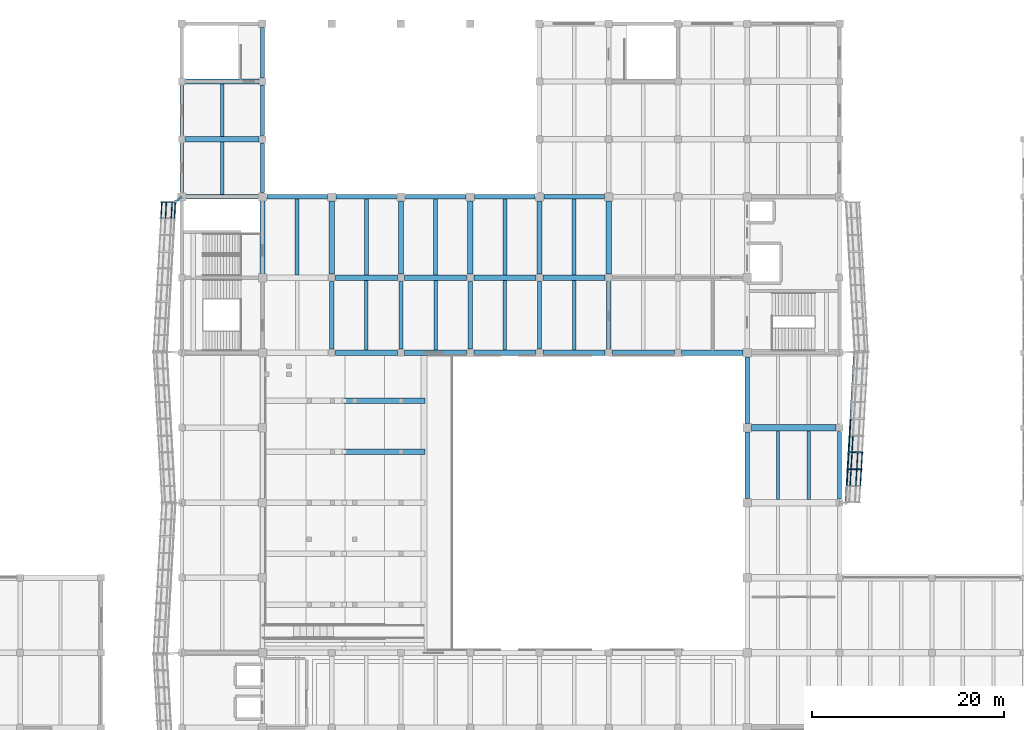
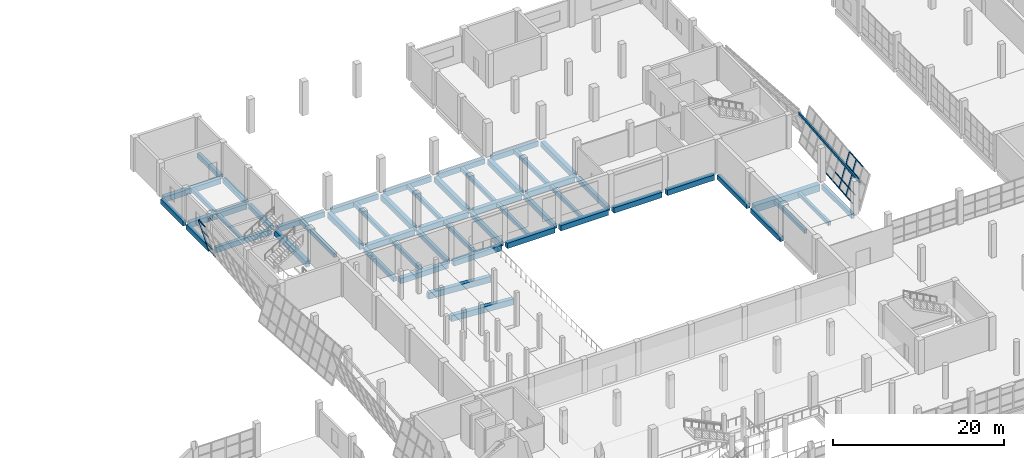
# One storey, part 46 of 91: 55 beams, 18 members, 2 elements without a shape of their own.
"""IFC4 building model written with IfcOpenShell, lengths in metres."""

from ifc_helpers import new_model, si_unit, direction, frame, origin, origin_2d, place, context, subcontext, project, spatial, rectangle, hollow_rectangle, extrude, material, material_profile, profile_set, type_object, element, aggregate, save


model = new_model("IFC4")

# Units and contexts
model_context = context("Model", 3, precision=1e-05, world=origin(), true_north=direction((0.0, 1.0)))
body_context = subcontext(model_context, "Body", "Model", "MODEL_VIEW")
ifc_project = project(units=[si_unit("LENGTHUNIT", "METRE"), si_unit("AREAUNIT", "SQUARE_METRE"), si_unit("VOLUMEUNIT", "CUBIC_METRE"), si_unit("PLANEANGLEUNIT", "RADIAN"), si_unit("MASSUNIT", "GRAM", prefix="KILO")], contexts=[model_context])

# Site, building, storey
site_placement = place(None, origin())
site = spatial("IfcSite", under=ifc_project, at=site_placement, CompositionType="ELEMENT")
building_placement = place(site_placement, origin())
building = spatial("IfcBuilding", under=site, at=building_placement, Name="Pellamere Symphony Hall", CompositionType="ELEMENT")
storey_placement = place(building_placement, frame((0.0, 0.0, 5.39990234375)))
storey = spatial("IfcBuildingStorey", under=building, at=storey_placement, Name="L01", CompositionType="ELEMENT", Elevation=5.39990234375)

# Curtain wall, members
ifc_material_1 = material(Name="Thermally Broken Anodised Aluminium 6063-T6 Curtain Wall", Category="aluminium")
curtain_wall_type = type_object("IfcCurtainWallType", Name="Curtain Wall CW-01 (Tilted Faceted Crystal Low-Iron Curtain Wall)", PredefinedType="NOTDEFINED", material=ifc_material_1)
curtain_wall_1_placement = place(storey_placement, origin())
curtain_wall_1 = element("IfcCurtainWall", 1, at=curtain_wall_1_placement, inside=storey, type_object=curtain_wall_type, Name="Crystal Faceted Curtain Wall CW-CR08 (L01)", PredefinedType="NOTDEFINED")
ifc_material_2 = material(Name="Anodised Architectural Aluminium 6063-T6", Category="aluminium")
ifc_material_profile_1 = material_profile(ifc_material_2, hollow_rectangle(XDim=0.074951171875, YDim=0.219970703125, WallThickness=0.0048828125, at=origin_2d()), Name="ALU-M75X220X5")
ifc_profile_set_1 = profile_set([ifc_material_profile_1], Name="Anodised Architectural Aluminium 6063-T6")
member_type_1 = type_object("IfcMemberType", Name="Curtain Wall Mullion ML-01 ALU-M75X220X5", PredefinedType="MULLION", material=ifc_profile_set_1)
member_1_placement = place(storey_placement, frame((119.64990234375, 65.288818359375, 0.0), z_axis=(0.284021911736, 0.0, 0.9588177896), x_axis=(-0.054873989333, -0.99836096977, 0.016254824977)))
member_1 = element("IfcMember", 2, at=member_1_placement, type_object=member_type_1, Name="CW1-013 crystal mullion 3", PredefinedType="MULLION", context=body_context, shape_type="SweptSolid", body=[
    extrude(hollow_rectangle(XDim=0.074951171875, YDim=0.219970703125, WallThickness=0.0048828125, at=origin_2d()), origin(), (0.0, 0.0, 1.0), 5.006103515625),
])
member_2_placement = place(storey_placement, frame((119.75, 67.033447265625, 0.0), z_axis=(0.284021911736, 0.0, 0.9588177896), x_axis=(-0.054873989333, -0.99836096977, 0.016254824977)))
member_2 = element("IfcMember", 3, at=member_2_placement, type_object=member_type_1, Name="CW1-013 crystal mullion 4", PredefinedType="MULLION", context=body_context, shape_type="SweptSolid", body=[
    extrude(hollow_rectangle(XDim=0.074951171875, YDim=0.219970703125, WallThickness=0.0048828125, at=origin_2d()), origin(), (0.0, 0.0, 1.0), 5.006103515625),
])

# Curtain wall, member
curtain_wall_2_placement = place(storey_placement, origin())
curtain_wall_2 = element("IfcCurtainWall", 4, at=curtain_wall_2_placement, inside=storey, type_object=curtain_wall_type, Name="Crystal Faceted Curtain Wall CW-CR15 (L01)", PredefinedType="NOTDEFINED")
member_3_placement = place(storey_placement, frame((49.747802734375, 93.0625, 0.0), z_axis=(-0.284021911736, 0.0, 0.9588177896), x_axis=(-0.055224582463, -0.998339941676, -0.016358678005)))
member_3 = element("IfcMember", 5, at=member_3_placement, type_object=member_type_1, Name="CW1-038 crystal mullion 1", PredefinedType="MULLION", context=body_context, shape_type="SweptSolid", body=[
    extrude(hollow_rectangle(XDim=0.074951171875, YDim=0.219970703125, WallThickness=0.0048828125, at=origin_2d()), origin(), (0.0, 0.0, 1.0), 5.006103515625),
])

# Member
ifc_material_profile_2 = material_profile(ifc_material_2, hollow_rectangle(XDim=0.074951171875, YDim=0.179931640625, WallThickness=0.0048828125, at=origin_2d()), Name="ALU-T75X180X5")
ifc_profile_set_2 = profile_set([ifc_material_profile_2], Name="Anodised Architectural Aluminium 6063-T6")
member_type_2 = type_object("IfcMemberType", Name="Curtain Wall Transom TR-01 ALU-T75X180X5", PredefinedType="USERDEFINED", material=ifc_profile_set_2)
member_4_placement = place(storey_placement, frame((119.562744140625, 63.581787109375, 0.0361328125), z_axis=(0.057224396245, 0.998361341637, 0.0), x_axis=(-0.998361341637, 0.057224396245, 0.0)))
member_4 = element("IfcMember", 6, at=member_4_placement, type_object=member_type_2, Name="CW1-013 crystal transom 2.1", ObjectType="TRANSOM", PredefinedType="USERDEFINED", context=body_context, shape_type="SweptSolid", body=[
    extrude(hollow_rectangle(XDim=0.074951171875, YDim=0.179931640625, WallThickness=0.0048828125, at=origin_2d()), origin(), (0.0, 0.0, 1.0), 1.67236328125),
])

member_5_placement = place(storey_placement, frame((119.893310546875, 63.581787109375, 1.152099609375), z_axis=(0.057224396245, 0.998361341637, 0.0), x_axis=(-0.998361341637, 0.057224396245, 0.0)))
member_5 = element("IfcMember", 7, at=member_5_placement, type_object=member_type_2, Name="CW1-013 crystal transom 2.2", ObjectType="TRANSOM", PredefinedType="USERDEFINED", context=body_context, shape_type="SweptSolid", body=[
    extrude(hollow_rectangle(XDim=0.074951171875, YDim=0.179931640625, WallThickness=0.0048828125, at=origin_2d()), origin(), (0.0, 0.0, 1.0), 1.67236328125),
])

member_6_placement = place(storey_placement, frame((120.490478515625, 63.581787109375, 3.168212890625), z_axis=(0.057224396245, 0.998361341637, 0.0), x_axis=(-0.998361341637, 0.057224396245, 0.0)))
member_6 = element("IfcMember", 8, at=member_6_placement, type_object=member_type_2, Name="CW1-013 crystal transom 2.3", ObjectType="TRANSOM", PredefinedType="USERDEFINED", context=body_context, shape_type="SweptSolid", body=[
    extrude(hollow_rectangle(XDim=0.074951171875, YDim=0.179931640625, WallThickness=0.0048828125, at=origin_2d()), origin(), (0.0, 0.0, 1.0), 1.67236328125),
])

member_7_placement = place(storey_placement, frame((120.96337890625, 63.581787109375, 4.76416015625), z_axis=(0.057224396245, 0.998361341637, 0.0), x_axis=(-0.998361341637, 0.057224396245, 0.0)))
member_7 = element("IfcMember", 9, at=member_7_placement, type_object=member_type_2, Name="CW1-013 crystal transom 2.4", ObjectType="TRANSOM", PredefinedType="USERDEFINED", context=body_context, shape_type="SweptSolid", body=[
    extrude(hollow_rectangle(XDim=0.074951171875, YDim=0.179931640625, WallThickness=0.0048828125, at=origin_2d()), origin(), (0.0, 0.0, 1.0), 1.67236328125),
])

member_8_placement = place(storey_placement, frame((119.662841796875, 65.326416015625, 0.0361328125), z_axis=(0.057232737422, 0.998360863499, 0.0), x_axis=(-0.998360863499, 0.057232737422, 0.0)))
member_8 = element("IfcMember", 10, at=member_8_placement, type_object=member_type_2, Name="CW1-013 crystal transom 3.1", ObjectType="TRANSOM", PredefinedType="USERDEFINED", context=body_context, shape_type="SweptSolid", body=[
    extrude(hollow_rectangle(XDim=0.074951171875, YDim=0.179931640625, WallThickness=0.0048828125, at=origin_2d()), origin(), (0.0, 0.0, 1.0), 1.672119140625),
])

member_9_placement = place(storey_placement, frame((119.993408203125, 65.326416015625, 1.152099609375), z_axis=(0.057232737422, 0.998360863499, 0.0), x_axis=(-0.998360863499, 0.057232737422, 0.0)))
member_9 = element("IfcMember", 11, at=member_9_placement, type_object=member_type_2, Name="CW1-013 crystal transom 3.2", ObjectType="TRANSOM", PredefinedType="USERDEFINED", context=body_context, shape_type="SweptSolid", body=[
    extrude(hollow_rectangle(XDim=0.074951171875, YDim=0.179931640625, WallThickness=0.0048828125, at=origin_2d()), origin(), (0.0, 0.0, 1.0), 1.672119140625),
])

member_10_placement = place(storey_placement, frame((120.590576171875, 65.326416015625, 3.168212890625), z_axis=(0.057232737422, 0.998360863499, 0.0), x_axis=(-0.998360863499, 0.057232737422, 0.0)))
member_10 = element("IfcMember", 12, at=member_10_placement, type_object=member_type_2, Name="CW1-013 crystal transom 3.3", ObjectType="TRANSOM", PredefinedType="USERDEFINED", context=body_context, shape_type="SweptSolid", body=[
    extrude(hollow_rectangle(XDim=0.074951171875, YDim=0.179931640625, WallThickness=0.0048828125, at=origin_2d()), origin(), (0.0, 0.0, 1.0), 1.672119140625),
])

member_11_placement = place(storey_placement, frame((121.063232421875, 65.326416015625, 4.76416015625), z_axis=(0.057232737422, 0.998360863499, 0.0), x_axis=(-0.998360863499, 0.057232737422, 0.0)))
member_11 = element("IfcMember", 13, at=member_11_placement, type_object=member_type_2, Name="CW1-013 crystal transom 3.4", ObjectType="TRANSOM", PredefinedType="USERDEFINED", context=body_context, shape_type="SweptSolid", body=[
    extrude(hollow_rectangle(XDim=0.074951171875, YDim=0.179931640625, WallThickness=0.0048828125, at=origin_2d()), origin(), (0.0, 0.0, 1.0), 1.672119140625),
])

member_12_placement = place(storey_placement, frame((119.7626953125, 67.07080078125, 0.0361328125), z_axis=(0.057232737422, 0.998360863499, 0.0), x_axis=(-0.998360863499, 0.057232737422, 0.0)))
member_12 = element("IfcMember", 14, at=member_12_placement, type_object=member_type_2, Name="CW1-013 crystal transom 4.1", ObjectType="TRANSOM", PredefinedType="USERDEFINED", context=body_context, shape_type="SweptSolid", body=[
    extrude(hollow_rectangle(XDim=0.074951171875, YDim=0.179931640625, WallThickness=0.0048828125, at=origin_2d()), origin(), (0.0, 0.0, 1.0), 1.672119140625),
])

member_13_placement = place(storey_placement, frame((120.09326171875, 67.07080078125, 1.152099609375), z_axis=(0.057232737422, 0.998360863499, 0.0), x_axis=(-0.998360863499, 0.057232737422, 0.0)))
member_13 = element("IfcMember", 15, at=member_13_placement, type_object=member_type_2, Name="CW1-013 crystal transom 4.2", ObjectType="TRANSOM", PredefinedType="USERDEFINED", context=body_context, shape_type="SweptSolid", body=[
    extrude(hollow_rectangle(XDim=0.074951171875, YDim=0.179931640625, WallThickness=0.0048828125, at=origin_2d()), origin(), (0.0, 0.0, 1.0), 1.672119140625),
])

member_14_placement = place(storey_placement, frame((119.86279296875, 68.815185546875, 0.0361328125), z_axis=(0.057224396245, 0.998361341637, 0.0), x_axis=(-0.998361341637, 0.057224396245, 0.0)))
member_14 = element("IfcMember", 16, at=member_14_placement, type_object=member_type_2, Name="CW1-013 crystal transom 5.1", ObjectType="TRANSOM", PredefinedType="USERDEFINED", context=body_context, shape_type="SweptSolid", body=[
    extrude(hollow_rectangle(XDim=0.074951171875, YDim=0.179931640625, WallThickness=0.0048828125, at=origin_2d()), origin(), (0.0, 0.0, 1.0), 1.67236328125),
])

aggregate(curtain_wall_1, [member_1, member_2, member_4, member_5, member_6, member_7, member_8, member_9, member_10, member_11, member_12, member_13, member_14])

member_15_placement = place(storey_placement, frame((49.735107421875, 93.025146484375, 0.0361328125), z_axis=(-0.057585007883, -0.99834060664, 0.0), x_axis=(0.99834060664, -0.057585007883, 0.0)))
member_15 = element("IfcMember", 17, at=member_15_placement, type_object=member_type_2, Name="CW1-038 crystal transom 1.1", ObjectType="TRANSOM", PredefinedType="USERDEFINED", context=body_context, shape_type="SweptSolid", body=[
    extrude(hollow_rectangle(XDim=0.074951171875, YDim=0.179931640625, WallThickness=0.0048828125, at=origin_2d()), origin(), (0.0, 0.0, 1.0), 1.623779296875),
])

member_16_placement = place(storey_placement, frame((49.404541015625, 93.025146484375, 1.152099609375), z_axis=(-0.057585007883, -0.99834060664, 0.0), x_axis=(0.99834060664, -0.057585007883, 0.0)))
member_16 = element("IfcMember", 18, at=member_16_placement, type_object=member_type_2, Name="CW1-038 crystal transom 1.2", ObjectType="TRANSOM", PredefinedType="USERDEFINED", context=body_context, shape_type="SweptSolid", body=[
    extrude(hollow_rectangle(XDim=0.074951171875, YDim=0.179931640625, WallThickness=0.0048828125, at=origin_2d()), origin(), (0.0, 0.0, 1.0), 1.623779296875),
])

member_17_placement = place(storey_placement, frame((48.807373046875, 93.025146484375, 3.168212890625), z_axis=(-0.057585007883, -0.99834060664, 0.0), x_axis=(0.99834060664, -0.057585007883, 0.0)))
member_17 = element("IfcMember", 19, at=member_17_placement, type_object=member_type_2, Name="CW1-038 crystal transom 1.3", ObjectType="TRANSOM", PredefinedType="USERDEFINED", context=body_context, shape_type="SweptSolid", body=[
    extrude(hollow_rectangle(XDim=0.074951171875, YDim=0.179931640625, WallThickness=0.0048828125, at=origin_2d()), origin(), (0.0, 0.0, 1.0), 1.623779296875),
])

member_18_placement = place(storey_placement, frame((48.33447265625, 93.025146484375, 4.76416015625), z_axis=(-0.057585007883, -0.99834060664, 0.0), x_axis=(0.99834060664, -0.057585007883, 0.0)))
member_18 = element("IfcMember", 20, at=member_18_placement, type_object=member_type_2, Name="CW1-038 crystal transom 1.4", ObjectType="TRANSOM", PredefinedType="USERDEFINED", context=body_context, shape_type="SweptSolid", body=[
    extrude(hollow_rectangle(XDim=0.074951171875, YDim=0.179931640625, WallThickness=0.0048828125, at=origin_2d()), origin(), (0.0, 0.0, 1.0), 1.623779296875),
])

aggregate(curtain_wall_2, [member_3, member_15, member_16, member_17, member_18])

# Beams
ifc_material_3 = material(Name="Concrete 40 MPa", Category="concrete")
ifc_material_profile_3 = material_profile(ifc_material_3, rectangle(XDim=0.550048828125, YDim=0.800048828125, at=origin_2d()), Name="RC 550x800")
ifc_profile_set_3 = profile_set([ifc_material_profile_3], Name="Concrete 40 MPa")
beam_type_1 = type_object("IfcBeamType", Name="RC CB-05 550x800", PredefinedType="BEAM", material=ifc_profile_set_3)
beam_1_placement = place(storey_placement, frame((58.800048828125, 85.64990234375, -0.679931640625), z_axis=(0.0, 1.0, 0.0), x_axis=(-1.0, 0.0, 0.0)))
element("IfcBeam", 21, at=beam_1_placement, inside=storey, type_object=beam_type_1, Name="Girder CB-05-Y0765 (L01)", PredefinedType="BEAM", context=body_context, shape_type="SweptSolid", body=[
    extrude(rectangle(XDim=0.550048828125, YDim=0.800048828125, at=origin_2d()), origin(), (0.0, 0.0, 1.0), 7.5),
])
for number, where, z_axis, x_axis, name in (
    (22, (66.0, 85.574951171875, -0.679931640625), (0.0, 1.0, 0.0), (-1.0, 0.0, 0.0), "Girder CB-05-Y0774 (L01)"),
    (23, (73.199951171875, 85.574951171875, -0.679931640625), (0.0, 1.0, 0.0), (-1.0, 0.0, 0.0), "Girder CB-05-Y0780 (L01)"),
    (24, (80.39990234375, 85.574951171875, -0.679931640625), (0.0, 1.0, 0.0), (-1.0, 0.0, 0.0), "Girder CB-05-Y0784 (L01)"),
    (25, (87.60009765625, 85.574951171875, -0.679931640625), (0.0, 1.0, 0.0), (-1.0, 0.0, 0.0), "Girder CB-05-Y0788 (L01)"),
    (26, (94.800048828125, 85.574951171875, -0.679931640625), (0.0, 1.0, 0.0), (-1.0, 0.0, 0.0), "Girder CB-05-Y0797 (L01)"),
):
    element("IfcBeam", number, at=place(storey_placement, frame(where, z_axis=z_axis, x_axis=x_axis)), inside=storey, type_object=beam_type_1, Name=name, PredefinedType="BEAM", context=body_context, shape_type="SweptSolid", body=[
        extrude(rectangle(XDim=0.550048828125, YDim=0.800048828125, at=origin_2d()), origin(), (0.0, 0.0, 1.0), 7.574951171875),
    ])
ifc_material_profile_4 = material_profile(ifc_material_3, rectangle(XDim=0.449951171875, YDim=0.64990234375, at=origin_2d()), Name="RC 450x650")
ifc_profile_set_4 = profile_set([ifc_material_profile_4], Name="Concrete 40 MPa")
beam_type_2 = type_object("IfcBeamType", Name="RC CB-08 450x650", PredefinedType="BEAM", material=ifc_profile_set_4)
beam_2_placement = place(storey_placement, frame((58.800048828125, 94.050048828125, -0.60498046875), z_axis=(0.0, 1.0, 0.0), x_axis=(-1.0, 0.0, 0.0)))
element("IfcBeam", 27, at=beam_2_placement, inside=storey, type_object=beam_type_2, Name="Girder CB-08-Y0766 (L01)", PredefinedType="BEAM", context=body_context, shape_type="SweptSolid", body=[
    extrude(rectangle(XDim=0.449951171875, YDim=0.64990234375, at=origin_2d()), origin(), (0.0, 0.0, 1.0), 5.175048828125),
])
beam_3_placement = place(storey_placement, frame((58.800048828125, 99.97509765625, -0.60498046875), z_axis=(0.0, 1.0, 0.0), x_axis=(-1.0, 0.0, 0.0)))
element("IfcBeam", 28, at=beam_3_placement, inside=storey, type_object=beam_type_2, Name="Girder CB-08-Y0767 (L01)", PredefinedType="BEAM", context=body_context, shape_type="SweptSolid", body=[
    extrude(rectangle(XDim=0.449951171875, YDim=0.64990234375, at=origin_2d()), origin(), (0.0, 0.0, 1.0), 5.25),
])
beam_4_placement = place(storey_placement, frame((58.800048828125, 105.97509765625, -0.60498046875), z_axis=(0.0, 1.0, 0.0), x_axis=(-1.0, 0.0, 0.0)))
element("IfcBeam", 29, at=beam_4_placement, inside=storey, type_object=beam_type_2, Name="Girder CB-08-Y0768 (L01)", PredefinedType="BEAM", context=body_context, shape_type="SweptSolid", body=[
    extrude(rectangle(XDim=0.449951171875, YDim=0.64990234375, at=origin_2d()), origin(), (0.0, 0.0, 1.0), 5.21484375),
])
for number, where, z_axis, x_axis, name in (
    (30, (66.0, 77.77490234375, -0.60498046875), (0.0, 1.0, 0.0), (-1.0, 0.0, 0.0), "Girder CB-08-Y0773 (L01)"),
    (31, (73.199951171875, 77.77490234375, -0.60498046875), (0.0, 1.0, 0.0), (-1.0, 0.0, 0.0), "Girder CB-08-Y0779 (L01)"),
    (32, (80.39990234375, 77.77490234375, -0.60498046875), (0.0, 1.0, 0.0), (-1.0, 0.0, 0.0), "Girder CB-08-Y0783 (L01)"),
    (33, (87.60009765625, 77.77490234375, -0.60498046875), (0.0, 1.0, 0.0), (-1.0, 0.0, 0.0), "Girder CB-08-Y0787 (L01)"),
    (34, (94.800048828125, 77.77490234375, -0.60498046875), (0.0, 1.0, 0.0), (-1.0, 0.0, 0.0), "Girder CB-08-Y0796 (L01)"),
):
    element("IfcBeam", number, at=place(storey_placement, frame(where, z_axis=z_axis, x_axis=x_axis)), inside=storey, type_object=beam_type_2, Name=name, PredefinedType="BEAM", context=body_context, shape_type="SweptSolid", body=[
        extrude(rectangle(XDim=0.449951171875, YDim=0.64990234375, at=origin_2d()), origin(), (0.0, 0.0, 1.0), 7.050048828125),
    ])
for number, where, z_axis, x_axis, name in (
    (35, (109.199951171875, 62.25, -0.60498046875), (0.0, 1.0, 0.0), (-1.0, 0.0, 0.0), "Girder CB-08-Y0816 (L01)"),
    (36, (109.199951171875, 70.050048828125, -0.60498046875), (0.0, 1.0, 0.0), (-1.0, 0.0, 0.0), "Girder CB-08-Y0817 (L01)"),
):
    element("IfcBeam", number, at=place(storey_placement, frame(where, z_axis=z_axis, x_axis=x_axis)), inside=storey, type_object=beam_type_2, Name=name, PredefinedType="BEAM", context=body_context, shape_type="SweptSolid", body=[
        extrude(rectangle(XDim=0.449951171875, YDim=0.64990234375, at=origin_2d()), origin(), (0.0, 0.0, 1.0), 6.89990234375),
    ])
ifc_material_profile_5 = material_profile(ifc_material_3, rectangle(XDim=0.39990234375, YDim=0.60009765625, at=origin_2d()), Name="RC 400x600")
ifc_profile_set_5 = profile_set([ifc_material_profile_5], Name="Concrete 40 MPa")
beam_type_3 = type_object("IfcBeamType", Name="RC CB-09 400x600", PredefinedType="BEAM", material=ifc_profile_set_5)
for number, where, z_axis, x_axis, name in (
    (37, (62.39990234375, 85.47998046875, -0.594970703125), (0.0, 1.0, 0.0), (-1.0, 0.0, 0.0), "Secondary Floor Beam CB-09-M0711 (L01)"),
    (38, (69.60009765625, 85.47998046875, -0.594970703125), (0.0, 1.0, 0.0), (-1.0, 0.0, 0.0), "Secondary Floor Beam CB-09-M0811 (L01)"),
    (39, (76.800048828125, 85.47998046875, -0.594970703125), (0.0, 1.0, 0.0), (-1.0, 0.0, 0.0), "Secondary Floor Beam CB-09-M0911 (L01)"),
    (40, (84.0, 85.47998046875, -0.594970703125), (0.0, 1.0, 0.0), (-1.0, 0.0, 0.0), "Secondary Floor Beam CB-09-M1011 (L01)"),
    (41, (91.199951171875, 85.47998046875, -0.594970703125), (0.0, 1.0, 0.0), (-1.0, 0.0, 0.0), "Secondary Floor Beam CB-09-M1111 (L01)"),
):
    element("IfcBeam", number, at=place(storey_placement, frame(where, z_axis=z_axis, x_axis=x_axis)), inside=storey, type_object=beam_type_3, Name=name, PredefinedType="BEAM", context=body_context, shape_type="SweptSolid", body=[
        extrude(rectangle(XDim=0.39990234375, YDim=0.60009765625, at=origin_2d()), origin(), (0.0, 0.0, 1.0), 7.89501953125),
    ])
ifc_material_4 = material(Name="Concrete 35 MPa", Category="concrete")
ifc_material_profile_6 = material_profile(ifc_material_4, rectangle(XDim=0.35009765625, YDim=0.550048828125, at=origin_2d()), Name="RC 350x550")
ifc_profile_set_6 = profile_set([ifc_material_profile_6], Name="Concrete 35 MPa")
beam_type_4 = type_object("IfcBeamType", Name="RC CB-10 350x550", PredefinedType="BEAM", material=ifc_profile_set_6)
beam_5_placement = place(storey_placement, frame((54.60009765625, 93.824951171875, -0.56982421875), z_axis=(0.0, 1.0, 0.0), x_axis=(-1.0, 0.0, 0.0)))
element("IfcBeam", 42, at=beam_5_placement, inside=storey, type_object=beam_type_4, Name="Secondary Floor Beam CB-10-M0612 (L01)", PredefinedType="BEAM", context=body_context, shape_type="SweptSolid", body=[
    extrude(rectangle(XDim=0.35009765625, YDim=0.550048828125, at=origin_2d()), origin(), (0.0, 0.0, 1.0), 5.4951171875),
])
beam_6_placement = place(storey_placement, frame((54.60009765625, 99.8798828125, -0.56982421875), z_axis=(0.0, 1.0, 0.0), x_axis=(-1.0, 0.0, 0.0)))
element("IfcBeam", 43, at=beam_6_placement, inside=storey, type_object=beam_type_4, Name="Secondary Floor Beam CB-10-M0613 (L01)", PredefinedType="BEAM", context=body_context, shape_type="SweptSolid", body=[
    extrude(rectangle(XDim=0.35009765625, YDim=0.550048828125, at=origin_2d()), origin(), (0.0, 0.0, 1.0), 5.440185546875),
])
for number, where, z_axis, x_axis, name in (
    (44, (69.60009765625, 77.679931640625, -0.56982421875), (0.0, 1.0, 0.0), (-1.0, 0.0, 0.0), "Secondary Floor Beam CB-10-M0810 (L01)"),
    (45, (76.800048828125, 77.679931640625, -0.56982421875), (0.0, 1.0, 0.0), (-1.0, 0.0, 0.0), "Secondary Floor Beam CB-10-M0910 (L01)"),
    (46, (84.0, 77.679931640625, -0.56982421875), (0.0, 1.0, 0.0), (-1.0, 0.0, 0.0), "Secondary Floor Beam CB-10-M1010 (L01)"),
    (47, (91.199951171875, 77.679931640625, -0.56982421875), (0.0, 1.0, 0.0), (-1.0, 0.0, 0.0), "Secondary Floor Beam CB-10-M1110 (L01)"),
):
    element("IfcBeam", number, at=place(storey_placement, frame(where, z_axis=z_axis, x_axis=x_axis)), inside=storey, type_object=beam_type_4, Name=name, PredefinedType="BEAM", context=body_context, shape_type="SweptSolid", body=[
        extrude(rectangle(XDim=0.35009765625, YDim=0.550048828125, at=origin_2d()), origin(), (0.0, 0.0, 1.0), 7.239990234375),
    ])
for number, where, z_axis, x_axis, name in (
    (48, (112.39990234375, 62.139892578125, -0.56982421875), (0.0, 1.0, 0.0), (-1.0, 0.0, 0.0), "Secondary Floor Beam CB-10-A1408 (L01)"),
    (49, (115.60009765625, 62.139892578125, -0.56982421875), (0.0, 1.0, 0.0), (-1.0, 0.0, 0.0), "Secondary Floor Beam CB-10-B1408 (L01)"),
):
    element("IfcBeam", number, at=place(storey_placement, frame(where, z_axis=z_axis, x_axis=x_axis)), inside=storey, type_object=beam_type_4, Name=name, PredefinedType="BEAM", context=body_context, shape_type="SweptSolid", body=[
        extrude(rectangle(XDim=0.35009765625, YDim=0.550048828125, at=origin_2d()), origin(), (0.0, 0.0, 1.0), 7.1201171875),
    ])
ifc_material_profile_7 = material_profile(ifc_material_3, rectangle(XDim=0.449951171875, YDim=0.75, at=origin_2d()), Name="RC 450x750")
ifc_profile_set_7 = profile_set([ifc_material_profile_7], Name="Concrete 40 MPa")
beam_type_5 = type_object("IfcBeamType", Name="RC CB-12 450x750", PredefinedType="SPANDREL", material=ifc_profile_set_7)
beam_7_placement = place(storey_placement, frame((50.85009765625, 93.60009765625, -0.65478515625), z_axis=(1.0, 0.0, 0.0), x_axis=(0.0, 1.0, 0.0)))
element("IfcBeam", 50, at=beam_7_placement, inside=storey, type_object=beam_type_5, Name="Girder CB-12-X0683 (L01)", PredefinedType="SPANDREL", context=body_context, shape_type="SweptSolid", body=[
    extrude(rectangle(XDim=0.449951171875, YDim=0.75, at=origin_2d()), origin(), (0.0, 0.0, 1.0), 7.5),
])
for number, where, z_axis, x_axis, name in (
    (51, (59.25, 93.60009765625, -0.65478515625), (1.0, 0.0, 0.0), (0.0, 1.0, 0.0), "Girder CB-12-X0684 (L01)"),
    (52, (66.449951171875, 93.60009765625, -0.65478515625), (1.0, 0.0, 0.0), (0.0, 1.0, 0.0), "Girder CB-12-X0685 (L01)"),
    (53, (73.64990234375, 93.60009765625, -0.65478515625), (1.0, 0.0, 0.0), (0.0, 1.0, 0.0), "Girder CB-12-X0686 (L01)"),
):
    element("IfcBeam", number, at=place(storey_placement, frame(where, z_axis=z_axis, x_axis=x_axis)), inside=storey, type_object=beam_type_5, Name=name, PredefinedType="SPANDREL", context=body_context, shape_type="SweptSolid", body=[
        extrude(rectangle(XDim=0.449951171875, YDim=0.75, at=origin_2d()), origin(), (0.0, 0.0, 1.0), 6.300048828125),
    ])
beam_8_placement = place(storey_placement, frame((80.85009765625, 93.60009765625, -0.65478515625), z_axis=(1.0, 0.0, 0.0), x_axis=(0.0, 1.0, 0.0)))
element("IfcBeam", 54, at=beam_8_placement, inside=storey, type_object=beam_type_5, Name="Girder CB-12-X0687 (L01)", PredefinedType="SPANDREL", context=body_context, shape_type="SweptSolid", body=[
    extrude(rectangle(XDim=0.449951171875, YDim=0.75, at=origin_2d()), origin(), (0.0, 0.0, 1.0), 6.2998046875),
])
beam_9_placement = place(storey_placement, frame((88.050048828125, 93.60009765625, -0.65478515625), z_axis=(1.0, 0.0, 0.0), x_axis=(0.0, 1.0, 0.0)))
element("IfcBeam", 55, at=beam_9_placement, inside=storey, type_object=beam_type_5, Name="Girder CB-12-X0688 (L01)", PredefinedType="SPANDREL", context=body_context, shape_type="SweptSolid", body=[
    extrude(rectangle(XDim=0.449951171875, YDim=0.75, at=origin_2d()), origin(), (0.0, 0.0, 1.0), 6.300048828125),
])
ifc_material_profile_8 = material_profile(ifc_material_3, rectangle(XDim=0.39990234375, YDim=0.699951171875, at=origin_2d()), Name="RC 400x700")
ifc_profile_set_8 = profile_set([ifc_material_profile_8], Name="Concrete 40 MPa")
beam_type_6 = type_object("IfcBeamType", Name="RC CB-13 400x700", PredefinedType="SPANDREL", material=ifc_profile_set_8)
beam_10_placement = place(storey_placement, frame((50.39990234375, 94.050048828125, -0.6298828125), z_axis=(0.0, 1.0, 0.0), x_axis=(-1.0, 0.0, 0.0)))
element("IfcBeam", 56, at=beam_10_placement, inside=storey, type_object=beam_type_6, Name="Girder CB-13-Y0754 (L01)", PredefinedType="SPANDREL", context=body_context, shape_type="SweptSolid", body=[
    extrude(rectangle(XDim=0.39990234375, YDim=0.699951171875, at=origin_2d()), origin(), (0.0, 0.0, 1.0), 5.175048828125),
])
beam_11_placement = place(storey_placement, frame((50.39990234375, 99.97509765625, -0.6298828125), z_axis=(0.0, 1.0, 0.0), x_axis=(-1.0, 0.0, 0.0)))
element("IfcBeam", 57, at=beam_11_placement, inside=storey, type_object=beam_type_6, Name="Girder CB-13-Y0755 (L01)", PredefinedType="SPANDREL", context=body_context, shape_type="SweptSolid", body=[
    extrude(rectangle(XDim=0.39990234375, YDim=0.699951171875, at=origin_2d()), origin(), (0.0, 0.0, 1.0), 5.25),
])
beam_12_placement = place(storey_placement, frame((118.800048828125, 62.175048828125, -0.6298828125), z_axis=(0.0, 1.0, 0.0), x_axis=(-1.0, 0.0, 0.0)))
element("IfcBeam", 58, at=beam_12_placement, inside=storey, type_object=beam_type_6, Name="Girder CB-13-Y0829 (L01)", PredefinedType="SPANDREL", context=body_context, shape_type="SweptSolid", body=[
    extrude(rectangle(XDim=0.39990234375, YDim=0.699951171875, at=origin_2d()), origin(), (0.0, 0.0, 1.0), 7.050048828125),
])
ifc_material_profile_9 = material_profile(ifc_material_3, rectangle(XDim=0.56005859375, YDim=0.760009765625, at=origin_2d()), Name="RC 560x760")
ifc_profile_set_9 = profile_set([ifc_material_profile_9], Name="Concrete 40 MPa")
beam_type_7 = type_object("IfcBeamType", Name="RC CB-18 560x760", PredefinedType="BEAM", material=ifc_profile_set_9)
for number, where, z_axis, x_axis, name in (
    (59, (66.375, 77.39990234375, -0.659912109375), (1.0, 0.0, 0.0), (0.0, 1.0, 0.0), "Girder CB-18-X0662 (L01)"),
    (60, (73.574951171875, 77.39990234375, -0.659912109375), (1.0, 0.0, 0.0), (0.0, 1.0, 0.0), "Girder CB-18-X0663 (L01)"),
):
    element("IfcBeam", number, at=place(storey_placement, frame(where, z_axis=z_axis, x_axis=x_axis)), inside=storey, type_object=beam_type_7, Name=name, PredefinedType="BEAM", context=body_context, shape_type="SweptSolid", body=[
        extrude(rectangle(XDim=0.56005859375, YDim=0.760009765625, at=origin_2d()), origin(), (0.0, 0.0, 1.0), 6.449951171875),
    ])
beam_13_placement = place(storey_placement, frame((80.77490234375, 77.39990234375, -0.659912109375), z_axis=(1.0, 0.0, 0.0), x_axis=(0.0, 1.0, 0.0)))
element("IfcBeam", 61, at=beam_13_placement, inside=storey, type_object=beam_type_7, Name="Girder CB-18-X0664 (L01)", PredefinedType="BEAM", context=body_context, shape_type="SweptSolid", body=[
    extrude(rectangle(XDim=0.56005859375, YDim=0.760009765625, at=origin_2d()), origin(), (0.0, 0.0, 1.0), 6.4501953125),
])
for number, where, z_axis, x_axis, name in (
    (62, (87.97509765625, 77.39990234375, -0.659912109375), (1.0, 0.0, 0.0), (0.0, 1.0, 0.0), "Girder CB-18-X0665 (L01)"),
    (63, (95.175048828125, 77.39990234375, -0.659912109375), (1.0, 0.0, 0.0), (0.0, 1.0, 0.0), "Girder CB-18-X0666 (L01)"),
):
    element("IfcBeam", number, at=place(storey_placement, frame(where, z_axis=z_axis, x_axis=x_axis)), inside=storey, type_object=beam_type_7, Name=name, PredefinedType="BEAM", context=body_context, shape_type="SweptSolid", body=[
        extrude(rectangle(XDim=0.56005859375, YDim=0.760009765625, at=origin_2d()), origin(), (0.0, 0.0, 1.0), 6.449951171875),
    ])
beam_14_placement = place(storey_placement, frame((102.375, 77.39990234375, -0.659912109375), z_axis=(1.0, 0.0, 0.0), x_axis=(0.0, 1.0, 0.0)))
element("IfcBeam", 64, at=beam_14_placement, inside=storey, type_object=beam_type_7, Name="Girder CB-18-X0667 (L01)", PredefinedType="BEAM", context=body_context, shape_type="SweptSolid", body=[
    extrude(rectangle(XDim=0.56005859375, YDim=0.760009765625, at=origin_2d()), origin(), (0.0, 0.0, 1.0), 6.375),
])
for number, where, z_axis, x_axis, name in (
    (65, (66.375, 85.199951171875, -0.659912109375), (1.0, 0.0, 0.0), (0.0, 1.0, 0.0), "Girder CB-18-X0673 (L01)"),
    (66, (73.574951171875, 85.199951171875, -0.659912109375), (1.0, 0.0, 0.0), (0.0, 1.0, 0.0), "Girder CB-18-X0674 (L01)"),
):
    element("IfcBeam", number, at=place(storey_placement, frame(where, z_axis=z_axis, x_axis=x_axis)), inside=storey, type_object=beam_type_7, Name=name, PredefinedType="BEAM", context=body_context, shape_type="SweptSolid", body=[
        extrude(rectangle(XDim=0.56005859375, YDim=0.760009765625, at=origin_2d()), origin(), (0.0, 0.0, 1.0), 6.449951171875),
    ])
beam_15_placement = place(storey_placement, frame((80.77490234375, 85.199951171875, -0.659912109375), z_axis=(1.0, 0.0, 0.0), x_axis=(0.0, 1.0, 0.0)))
element("IfcBeam", 67, at=beam_15_placement, inside=storey, type_object=beam_type_7, Name="Girder CB-18-X0675 (L01)", PredefinedType="BEAM", context=body_context, shape_type="SweptSolid", body=[
    extrude(rectangle(XDim=0.56005859375, YDim=0.760009765625, at=origin_2d()), origin(), (0.0, 0.0, 1.0), 6.4501953125),
])
beam_16_placement = place(storey_placement, frame((87.97509765625, 85.199951171875, -0.659912109375), z_axis=(1.0, 0.0, 0.0), x_axis=(0.0, 1.0, 0.0)))
element("IfcBeam", 68, at=beam_16_placement, inside=storey, type_object=beam_type_7, Name="Girder CB-18-X0676 (L01)", PredefinedType="BEAM", context=body_context, shape_type="SweptSolid", body=[
    extrude(rectangle(XDim=0.56005859375, YDim=0.760009765625, at=origin_2d()), origin(), (0.0, 0.0, 1.0), 6.449951171875),
])
for number, where, z_axis, x_axis, name in (
    (69, (50.77490234375, 99.60009765625, -0.659912109375), (1.0, 0.0, 0.0), (0.0, 1.0, 0.0), "Girder CB-18-X0696 (L01)"),
    (70, (50.77490234375, 105.60009765625, -0.659912109375), (1.0, 0.0, 0.0), (0.0, 1.0, 0.0), "Girder CB-18-X0705 (L01)"),
):
    element("IfcBeam", number, at=place(storey_placement, frame(where, z_axis=z_axis, x_axis=x_axis)), inside=storey, type_object=beam_type_7, Name=name, PredefinedType="BEAM", context=body_context, shape_type="SweptSolid", body=[
        extrude(rectangle(XDim=0.56005859375, YDim=0.760009765625, at=origin_2d()), origin(), (0.0, 0.0, 1.0), 7.650146484375),
    ])
ifc_material_profile_10 = material_profile(ifc_material_3, rectangle(XDim=0.679931640625, YDim=0.97998046875, at=origin_2d()), Name="RC 680x980")
ifc_profile_set_10 = profile_set([ifc_material_profile_10], Name="Concrete 40 MPa")
beam_type_8 = type_object("IfcBeamType", Name="RC CB-22 680x980", PredefinedType="BEAM", material=ifc_profile_set_10)
beam_17_placement = place(storey_placement, frame((109.64990234375, 69.60009765625, -0.77001953125), z_axis=(1.0, 0.0, 0.0), x_axis=(0.0, 1.0, 0.0)))
element("IfcBeam", 71, at=beam_17_placement, inside=storey, type_object=beam_type_8, Name="Girder CB-22-X0655 (L01)", PredefinedType="BEAM", context=body_context, shape_type="SweptSolid", body=[
    extrude(rectangle(XDim=0.679931640625, YDim=0.97998046875, at=origin_2d()), origin(), (0.0, 0.0, 1.0), 8.775146484375),
])
ifc_material_profile_11 = material_profile(ifc_material_3, rectangle(XDim=0.550048828125, YDim=0.85009765625, at=origin_2d()), Name="RC 550x850")
ifc_profile_set_11 = profile_set([ifc_material_profile_11], Name="Concrete 40 MPa")
beam_type_9 = type_object("IfcBeamType", Name="RC RK-02 550x850", PredefinedType="BEAM", material=ifc_profile_set_11)
for number, where, z_axis, x_axis, name in (
    (72, (75.675048828125, 67.10009765625, -0.60498046875), (-0.998052465112, 0.0, 0.062380100067), (0.0, -1.0, 0.0), "Stand Dress Circle Raker Beam RK-02-033"),
    (73, (75.675048828125, 72.39990234375, -0.60498046875), (-0.998052465112, 0.0, 0.062380100067), (0.0, -1.0, 0.0), "Stand Dress Circle Raker Beam RK-02-035"),
):
    element("IfcBeam", number, at=place(storey_placement, frame(where, z_axis=z_axis, x_axis=x_axis)), inside=storey, type_object=beam_type_9, Name=name, PredefinedType="BEAM", context=body_context, shape_type="SweptSolid", body=[
        extrude(rectangle(XDim=0.550048828125, YDim=0.85009765625, at=origin_2d()), origin(), (0.0, 0.0, 1.0), 8.37939453125),
    ])
ifc_material_5 = material(Name="Steel CSA G40.21 350W", Category="steel")
ifc_material_profile_12 = material_profile(ifc_material_5, hollow_rectangle(XDim=0.203125, YDim=0.3046875, WallThickness=0.0126953125, at=origin_2d()), Name="HSS305X203X13")
ifc_profile_set_12 = profile_set([ifc_material_profile_12], Name="Steel CSA G40.21 350W")
beam_type_10 = type_object("IfcBeamType", Name="Steel Spandrel SB-26 HSS305X203X13", PredefinedType="SPANDREL", material=ifc_profile_set_12)
beam_18_placement = place(storey_placement, frame((119.449951171875, 61.800048828125, 4.239990234375), z_axis=(0.057240345461, 0.998360427326, 0.0), x_axis=(-0.998360427326, 0.057240345461, 0.0)))
element("IfcBeam", 74, at=beam_18_placement, inside=storey, type_object=beam_type_10, Name="Crystal Perimeter Ring Beam CW-CR08 (L01)", PredefinedType="SPANDREL", context=body_context, shape_type="SweptSolid", body=[
    extrude(hollow_rectangle(XDim=0.203125, YDim=0.3046875, WallThickness=0.0126953125, at=origin_2d()), origin(), (0.0, 0.0, 1.0), 15.725830078125),
])
beam_19_placement = place(storey_placement, frame((50.39990234375, 93.60009765625, 4.239990234375), z_axis=(-0.792579713642, -0.609768314627, 0.0), x_axis=(0.609768314627, -0.792579713642, 0.0)))
element("IfcBeam", 75, at=beam_19_placement, inside=storey, type_object=beam_type_10, Name="Crystal Ring Outrigger Bracket 085 (L01)", PredefinedType="SPANDREL", context=body_context, shape_type="SweptSolid", body=[
    extrude(hollow_rectangle(XDim=0.203125, YDim=0.3046875, WallThickness=0.0126953125, at=origin_2d()), origin(), (0.0, 0.0, 1.0), 0.820068359375),
])

save(model, "model.ifc")
